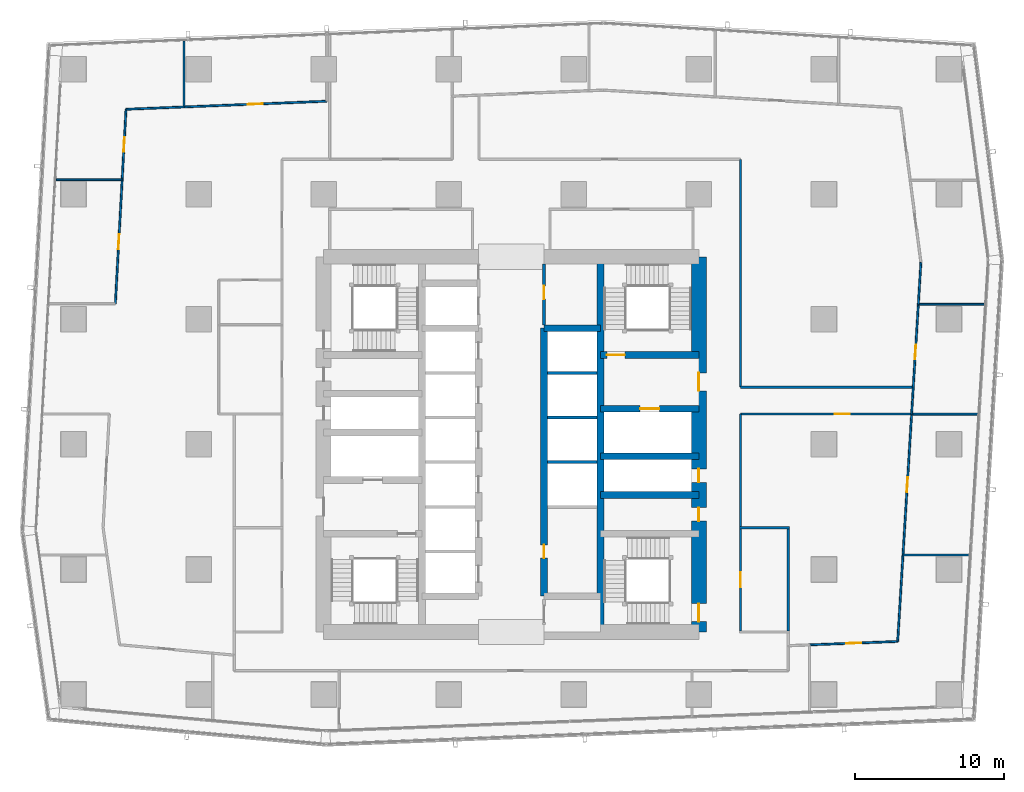
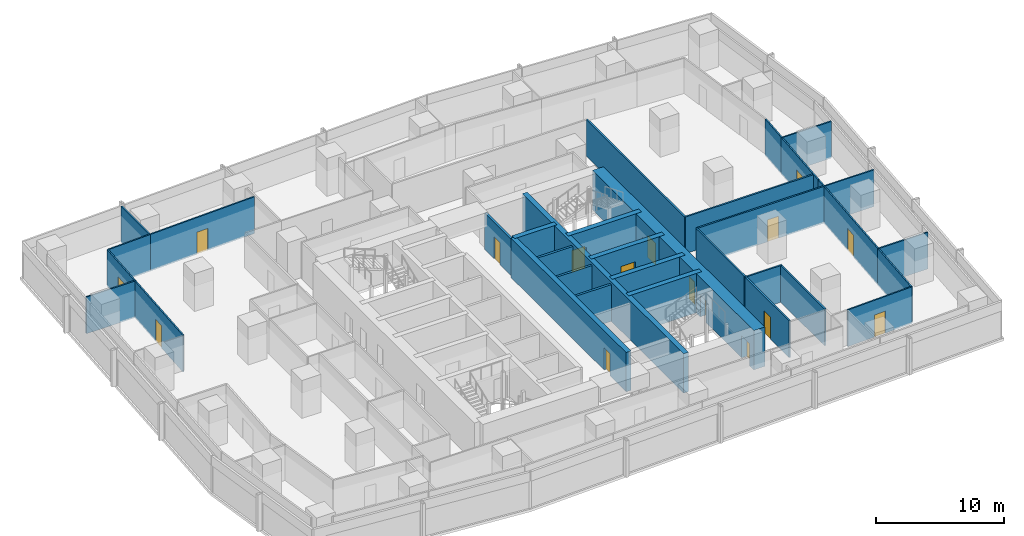
# One storey, part 30 of 40: 34 walls, 16 doors, 16 openings.
"""IFC4 building model written with IfcOpenShell, lengths in metres."""

from ifc_helpers import new_model, si_unit, direction, frame, frame_2d, origin, place, context, subcontext, project, spatial, rectangle, extrude, material, layer, layer_set, type_object, element, fill, save


model = new_model("IFC4")

# Units and contexts
model_context = context("Model", 3, precision=1e-05, world=origin(), true_north=direction((0.0, 1.0)))
body_context = subcontext(model_context, "Body", "Model", "MODEL_VIEW")
ifc_project = project(units=[si_unit("LENGTHUNIT", "METRE"), si_unit("AREAUNIT", "SQUARE_METRE"), si_unit("VOLUMEUNIT", "CUBIC_METRE"), si_unit("PLANEANGLEUNIT", "RADIAN"), si_unit("MASSUNIT", "GRAM", prefix="KILO")], contexts=[model_context])

# Site, building, storey
site_placement = place(None, origin())
site = spatial("IfcSite", under=ifc_project, at=site_placement, CompositionType="ELEMENT")
building_placement = place(site_placement, origin())
building = spatial("IfcBuilding", under=site, at=building_placement, Name="Rekha Terrace Tower", CompositionType="ELEMENT")
storey_placement = place(building_placement, frame((0.0, 0.0, 102.800048828125)))
storey = spatial("IfcBuildingStorey", under=building, at=storey_placement, Name="L25", CompositionType="ELEMENT", Elevation=102.800048828125)

# Wall
ifc_material_1 = material(Name="Concrete M70", Category="concrete")
ifc_layer_1 = layer(ifc_material_1, 0.449951171875)
ifc_layer_set_1 = layer_set([ifc_layer_1], Name="Concrete M70")
wall_type_1 = type_object("IfcWallType", Name="CI2 450 core internal shear wall", PredefinedType="SHEAR", material=ifc_layer_set_1)
wall_1_placement = place(storey_placement, frame((43.800048828125, 21.0, 0.0), z_axis=(0.0, 0.0, 1.0), x_axis=(0.0, 1.0, 0.0)))
element("IfcWall", 1, at=wall_1_placement, inside=storey, type_object=wall_type_1, Name="Core wall X438 L25", PredefinedType="SHEAR", context=body_context, shape_type="SweptSolid", body=[
    extrude(rectangle(XDim=25.199951171875, YDim=0.449951171875, at=frame_2d((12.60009765625, 0.0))), origin(), (0.0, 0.0, 1.0), 3.75),
])

# Wall, opening, door
wall_2_placement = place(storey_placement, frame((40.0, 23.39990234375, 0.0), z_axis=(0.0, 0.0, 1.0), x_axis=(0.0, 1.0, 0.0)))
wall_2 = element("IfcWall", 2, at=wall_2_placement, inside=storey, type_object=wall_type_1, Name="Core wall X400 L25", PredefinedType="SHEAR", context=body_context, shape_type="SweptSolid", body=[
    extrude(rectangle(XDim=18.0, YDim=0.449951171875, at=frame_2d((9.0, 0.0))), origin(), (0.0, 0.0, 1.0), 3.75),
])
opening_1_placement = place(wall_2_placement, frame((2.550048828125, 0.0, 0.0)))
opening_1 = element("IfcOpeningElement", 3, at=opening_1_placement, cuts=wall_2, Name="Opening D5", PredefinedType="OPENING", context=body_context, shape_type="SweptSolid", body=[
    extrude(rectangle(XDim=0.89990234375, YDim=2.10009765625, at=frame_2d((0.449951171875, 1.050048828125))), frame((0.0, 0.23486328125, 0.0), z_axis=(0.0, -1.0, 0.0), x_axis=(1.0, 0.0, 0.0)), (0.0, 0.0, 1.0), 0.469970703125),
])
ifc_material_2 = material(Name="Steel fire door", Category="steel")
door_type_1 = type_object("IfcDoorType", Name="D5 900x2100 riser access door", OperationType="SINGLE_SWING_LEFT", PredefinedType="DOOR", material=ifc_material_2)
door_1_placement = place(opening_1_placement, origin())
door_1 = element("IfcDoor", 4, at=door_1_placement, inside=storey, type_object=door_type_1, Name="Door back-of-house store L25", OperationType="SINGLE_SWING_LEFT", OverallHeight=2.10009765625, OverallWidth=0.89990234375, PredefinedType="DOOR", context=body_context, shape_type="SweptSolid", body=[
    extrude(rectangle(XDim=0.89990234375, YDim=2.10009765625, at=frame_2d((0.449951171875, 1.050048828125))), frame((0.0, 0.02490234375, 0.0), z_axis=(0.0, -1.0, 0.0), x_axis=(1.0, 0.0, 0.0)), (0.0, 0.0, 1.0), 0.050048828125),
])
fill(opening_1, door_1)

# Walls
wall_3_placement = place(storey_placement, frame((40.0, 41.39990234375, 0.0), z_axis=(0.0, 0.0, 1.0), x_axis=(1.0, 0.0, 0.0)))
element("IfcWall", 5, at=wall_3_placement, inside=storey, type_object=wall_type_1, Name="Core wall Y414E L25", PredefinedType="SHEAR", context=body_context, shape_type="SweptSolid", body=[
    extrude(rectangle(XDim=3.800048828125, YDim=0.449951171875, at=frame_2d((1.89990234375, 0.0))), origin(), (0.0, 0.0, 1.0), 3.75),
])
for number, where, z_axis, x_axis, name in (
    (6, (43.800048828125, 30.199951171875, 0.0), (0.0, 0.0, 1.0), (1.0, 0.0, 0.0), "Core wall Y302E L25"),
    (7, (43.800048828125, 32.800048828125, 0.0), (0.0, 0.0, 1.0), (1.0, 0.0, 0.0), "Core wall Y328E L25"),
):
    element("IfcWall", number, at=place(storey_placement, frame(where, z_axis=z_axis, x_axis=x_axis)), inside=storey, type_object=wall_type_1, Name=name, PredefinedType="SHEAR", context=body_context, shape_type="SweptSolid", body=[
        extrude(rectangle(XDim=6.599853515625, YDim=0.449951171875, at=frame_2d((3.2998046875, 0.0))), origin(), (0.0, 0.0, 1.0), 3.75),
    ])

# Wall, opening, door
wall_4_placement = place(storey_placement, frame((43.800048828125, 36.0, 0.0), z_axis=(0.0, 0.0, 1.0), x_axis=(1.0, 0.0, 0.0)))
wall_4 = element("IfcWall", 8, at=wall_4_placement, inside=storey, type_object=wall_type_1, Name="Core wall Y360E L25", PredefinedType="SHEAR", context=body_context, shape_type="SweptSolid", body=[
    extrude(rectangle(XDim=6.599853515625, YDim=0.449951171875, at=frame_2d((3.2998046875, 0.0))), origin(), (0.0, 0.0, 1.0), 3.75),
])
opening_2_placement = place(wall_4_placement, frame((2.64990234375, 0.0, 0.0)))
opening_2 = element("IfcOpeningElement", 9, at=opening_2_placement, cuts=wall_4, Name="Opening LD2", PredefinedType="OPENING", context=body_context, shape_type="SweptSolid", body=[
    extrude(rectangle(XDim=1.300048828125, YDim=2.10009765625, at=frame_2d((0.64990234375, 1.050048828125))), frame((0.0, 0.23486328125, 0.0), z_axis=(0.0, -1.0, 0.0), x_axis=(1.0, 0.0, 0.0)), (0.0, 0.0, 1.0), 0.469970703125),
])
ifc_material_3 = material(Name="Stainless steel sliding landing door", Category="steel")
door_type_2 = type_object("IfcDoorType", Name="LD2 1300x2100 fire lift landing door", OperationType="SLIDING_TO_LEFT", PredefinedType="USERDEFINED", material=ifc_material_3)
door_2_placement = place(opening_2_placement, origin())
door_2 = element("IfcDoor", 10, at=door_2_placement, inside=storey, type_object=door_type_2, Name="Lift FL2 landing door L25", ObjectType="LIFT LANDING DOOR", OperationType="SLIDING_TO_LEFT", OverallHeight=2.10009765625, OverallWidth=1.300048828125, PredefinedType="USERDEFINED", context=body_context, shape_type="SweptSolid", body=[
    extrude(rectangle(XDim=1.300048828125, YDim=2.10009765625, at=frame_2d((0.64990234375, 1.050048828125))), frame((0.0, 0.02490234375, 0.0), z_axis=(0.0, -1.0, 0.0), x_axis=(1.0, 0.0, 0.0)), (0.0, 0.0, 1.0), 0.050048828125),
])
fill(opening_2, door_2)

wall_5_placement = place(storey_placement, frame((43.800048828125, 39.60009765625, 0.0), z_axis=(0.0, 0.0, 1.0), x_axis=(1.0, 0.0, 0.0)))
wall_5 = element("IfcWall", 11, at=wall_5_placement, inside=storey, type_object=wall_type_1, Name="Core wall Y396E L25", PredefinedType="SHEAR", context=body_context, shape_type="SweptSolid", body=[
    extrude(rectangle(XDim=6.599853515625, YDim=0.449951171875, at=frame_2d((3.2998046875, 0.0))), origin(), (0.0, 0.0, 1.0), 3.75),
])
opening_3_placement = place(wall_5_placement, frame((0.425048828125, 0.0, 0.0)))
opening_3 = element("IfcOpeningElement", 12, at=opening_3_placement, cuts=wall_5, Name="Opening D1", PredefinedType="OPENING", context=body_context, shape_type="SweptSolid", body=[
    extrude(rectangle(XDim=1.199951171875, YDim=2.10009765625, at=frame_2d((0.60009765625, 1.050048828125))), frame((0.0, 0.23486328125, 0.0), z_axis=(0.0, -1.0, 0.0), x_axis=(1.0, 0.0, 0.0)), (0.0, 0.0, 1.0), 0.469970703125),
])
door_type_3 = type_object("IfcDoorType", Name="D1 1200x2100 stair fire door", OperationType="SINGLE_SWING_RIGHT", PredefinedType="DOOR", material=ifc_material_2)
door_3_placement = place(opening_3_placement, origin())
door_3 = element("IfcDoor", 13, at=door_3_placement, inside=storey, type_object=door_type_3, Name="Stair ST2 door L25", OperationType="SINGLE_SWING_RIGHT", OverallHeight=2.10009765625, OverallWidth=1.199951171875, PredefinedType="DOOR", context=body_context, shape_type="SweptSolid", body=[
    extrude(rectangle(XDim=1.199951171875, YDim=2.10009765625, at=frame_2d((0.60009765625, 1.050048828125))), frame((0.0, 0.02490234375, 0.0), z_axis=(0.0, -1.0, 0.0), x_axis=(1.0, 0.0, 0.0)), (0.0, 0.0, 1.0), 0.050048828125),
])
fill(opening_3, door_3)

# Wall, openings, doors
ifc_layer_2 = layer(ifc_material_1, 1.0)
ifc_layer_set_2 = layer_set([ifc_layer_2], Name="Concrete M70")
wall_type_2 = type_object("IfcWallType", Name="SW2 1000 core outer shear wall", PredefinedType="SHEAR", material=ifc_layer_set_2)
wall_6_placement = place(storey_placement, frame((50.39990234375, 21.0, 0.0), z_axis=(0.0, 0.0, 1.0), x_axis=(0.0, 1.0, 0.0)))
wall_6 = element("IfcWall", 14, at=wall_6_placement, inside=storey, type_object=wall_type_2, Name="Core wall E L25", PredefinedType="SHEAR", context=body_context, shape_type="SweptSolid", body=[
    extrude(rectangle(XDim=25.199951171875, YDim=1.0, at=frame_2d((12.60009765625, 0.0))), origin(), (0.0, 0.0, 1.0), 3.75),
])
opening_4_placement = place(wall_6_placement, frame((16.199951171875, 0.0, 0.0)))
opening_4 = element("IfcOpeningElement", 15, at=opening_4_placement, cuts=wall_6, Name="Opening D2", PredefinedType="OPENING", context=body_context, shape_type="SweptSolid", body=[
    extrude(rectangle(XDim=1.199951171875, YDim=2.10009765625, at=frame_2d((0.60009765625, 1.050048828125))), frame((0.0, 0.510009765625, 0.0), z_axis=(0.0, -1.0, 0.0), x_axis=(1.0, 0.0, 0.0)), (0.0, 0.0, 1.0), 1.02001953125),
])
opening_5_placement = place(wall_6_placement, frame((10.050048828125, 0.0, 0.0)))
opening_5 = element("IfcOpeningElement", 16, at=opening_5_placement, cuts=wall_6, Name="Opening D5", PredefinedType="OPENING", context=body_context, shape_type="SweptSolid", body=[
    extrude(rectangle(XDim=0.89990234375, YDim=2.10009765625, at=frame_2d((0.449951171875, 1.050048828125))), frame((0.0, 0.510009765625, 0.0), z_axis=(0.0, -1.0, 0.0), x_axis=(1.0, 0.0, 0.0)), (0.0, 0.0, 1.0), 1.02001953125),
])
opening_6_placement = place(wall_6_placement, frame((7.449951171875, 0.0, 0.0)))
opening_6 = element("IfcOpeningElement", 17, at=opening_6_placement, cuts=wall_6, Name="Opening D5", PredefinedType="OPENING", context=body_context, shape_type="SweptSolid", body=[
    extrude(rectangle(XDim=0.89990234375, YDim=2.10009765625, at=frame_2d((0.449951171875, 1.050048828125))), frame((0.0, 0.510009765625, 0.0), z_axis=(0.0, -1.0, 0.0), x_axis=(1.0, 0.0, 0.0)), (0.0, 0.0, 1.0), 1.02001953125),
])
opening_7_placement = place(wall_6_placement, frame((0.699951171875, 0.0, 0.0)))
opening_7 = element("IfcOpeningElement", 18, at=opening_7_placement, cuts=wall_6, Name="Opening D1", PredefinedType="OPENING", context=body_context, shape_type="SweptSolid", body=[
    extrude(rectangle(XDim=1.199951171875, YDim=2.10009765625, at=frame_2d((0.60009765625, 1.050048828125))), frame((0.0, 0.510009765625, 0.0), z_axis=(0.0, -1.0, 0.0), x_axis=(1.0, 0.0, 0.0)), (0.0, 0.0, 1.0), 1.02001953125),
])
door_4_placement = place(opening_7_placement, origin())
door_4 = element("IfcDoor", 19, at=door_4_placement, inside=storey, type_object=door_type_3, Name="Stair ST3 door L25", OperationType="SINGLE_SWING_RIGHT", OverallHeight=2.10009765625, OverallWidth=1.199951171875, PredefinedType="DOOR", context=body_context, shape_type="SweptSolid", body=[
    extrude(rectangle(XDim=1.199951171875, YDim=2.10009765625, at=frame_2d((0.60009765625, 1.050048828125))), frame((0.0, 0.02490234375, 0.0), z_axis=(0.0, -1.0, 0.0), x_axis=(1.0, 0.0, 0.0)), (0.0, 0.0, 1.0), 0.050048828125),
])
fill(opening_7, door_4)
door_type_4 = type_object("IfcDoorType", Name="D2 1200x2100 firefighting lobby door", OperationType="SINGLE_SWING_LEFT", PredefinedType="DOOR", material=ifc_material_2)
door_5_placement = place(opening_4_placement, origin())
door_5 = element("IfcDoor", 20, at=door_5_placement, inside=storey, type_object=door_type_4, Name="Door flb2 L25", OperationType="SINGLE_SWING_LEFT", OverallHeight=2.10009765625, OverallWidth=1.199951171875, PredefinedType="DOOR", context=body_context, shape_type="SweptSolid", body=[
    extrude(rectangle(XDim=1.199951171875, YDim=2.10009765625, at=frame_2d((0.60009765625, 1.050048828125))), frame((0.0, 0.02490234375, 0.0), z_axis=(0.0, -1.0, 0.0), x_axis=(1.0, 0.0, 0.0)), (0.0, 0.0, 1.0), 0.050048828125),
])
fill(opening_4, door_5)
door_6_placement = place(opening_5_placement, origin())
door_6 = element("IfcDoor", 21, at=door_6_placement, inside=storey, type_object=door_type_1, Name="Door rs2 L25", OperationType="SINGLE_SWING_LEFT", OverallHeight=2.10009765625, OverallWidth=0.89990234375, PredefinedType="DOOR", context=body_context, shape_type="SweptSolid", body=[
    extrude(rectangle(XDim=0.89990234375, YDim=2.10009765625, at=frame_2d((0.449951171875, 1.050048828125))), frame((0.0, 0.02490234375, 0.0), z_axis=(0.0, -1.0, 0.0), x_axis=(1.0, 0.0, 0.0)), (0.0, 0.0, 1.0), 0.050048828125),
])
fill(opening_5, door_6)
door_7_placement = place(opening_6_placement, origin())
door_7 = element("IfcDoor", 22, at=door_7_placement, inside=storey, type_object=door_type_1, Name="Door ele L25", OperationType="SINGLE_SWING_LEFT", OverallHeight=2.10009765625, OverallWidth=0.89990234375, PredefinedType="DOOR", context=body_context, shape_type="SweptSolid", body=[
    extrude(rectangle(XDim=0.89990234375, YDim=2.10009765625, at=frame_2d((0.449951171875, 1.050048828125))), frame((0.0, 0.02490234375, 0.0), z_axis=(0.0, -1.0, 0.0), x_axis=(1.0, 0.0, 0.0)), (0.0, 0.0, 1.0), 0.050048828125),
])
fill(opening_6, door_7)

# Wall
ifc_material_4 = material(Name="Concrete block masonry, 1 hour", Category="masonry")
ifc_layer_3 = layer(ifc_material_4, 0.14990234375)
ifc_layer_set_3 = layer_set([ifc_layer_3], Name="Concrete block masonry, 1 hour")
wall_type_3 = type_object("IfcWallType", Name="WP2 150 tenancy partition", PredefinedType="PARTITIONING", material=ifc_layer_set_3)
wall_7_placement = place(storey_placement, frame((53.125, 28.0, 0.0), z_axis=(0.0, 0.0, 1.0), x_axis=(1.0, 0.0, 0.0)))
element("IfcWall", 23, at=wall_7_placement, inside=storey, type_object=wall_type_3, Name="Men's WC wall L25", PredefinedType="PARTITIONING", context=body_context, shape_type="SweptSolid", body=[
    extrude(rectangle(XDim=3.35009765625, YDim=0.14990234375, at=frame_2d((1.675048828125, 0.0))), origin(), (0.0, 0.0, 1.0), 3.5),
])

# Wall, opening, door
wall_8_placement = place(storey_placement, frame((53.199951171875, 21.074951171875, 0.0), z_axis=(0.0, 0.0, 1.0), x_axis=(0.0, 1.0, 0.0)))
wall_8 = element("IfcWall", 24, at=wall_8_placement, inside=storey, type_object=wall_type_3, Name="Men's WC wall L25", PredefinedType="PARTITIONING", context=body_context, shape_type="SweptSolid", body=[
    extrude(rectangle(XDim=6.85009765625, YDim=0.14990234375, at=frame_2d((3.425048828125, 0.0))), origin(), (0.0, 0.0, 1.0), 3.5),
])
opening_8_placement = place(wall_8_placement, frame((2.925048828125, 0.0, 0.0)))
opening_8 = element("IfcOpeningElement", 25, at=opening_8_placement, cuts=wall_8, Name="Opening D3", PredefinedType="OPENING", context=body_context, shape_type="SweptSolid", body=[
    extrude(rectangle(XDim=1.0, YDim=2.10009765625, at=frame_2d((0.5, 1.050048828125))), frame((0.0, 0.0849609375, 0.0), z_axis=(0.0, -1.0, 0.0), x_axis=(1.0, 0.0, 0.0)), (0.0, 0.0, 1.0), 0.169921875),
])
ifc_material_5 = material(Name="Laminated timber fire door", Category="wood")
door_type_5 = type_object("IfcDoorType", Name="D3 1000x2100 WC door", OperationType="SINGLE_SWING_LEFT", PredefinedType="DOOR", material=ifc_material_5)
door_8_placement = place(opening_8_placement, origin())
door_8 = element("IfcDoor", 26, at=door_8_placement, inside=storey, type_object=door_type_5, Name="Door men's wc L25", OperationType="SINGLE_SWING_LEFT", OverallHeight=2.10009765625, OverallWidth=1.0, PredefinedType="DOOR", context=body_context, shape_type="SweptSolid", body=[
    extrude(rectangle(XDim=1.0, YDim=2.10009765625, at=frame_2d((0.5, 1.050048828125))), frame((0.0, 0.02490234375, 0.0), z_axis=(0.0, -1.0, 0.0), x_axis=(1.0, 0.0, 0.0)), (0.0, 0.0, 1.0), 0.050048828125),
])
fill(opening_8, door_8)

# Walls
wall_9_placement = place(storey_placement, frame((56.39990234375, 21.074951171875, 0.0), z_axis=(0.0, 0.0, 1.0), x_axis=(0.0, 1.0, 0.0)))
element("IfcWall", 27, at=wall_9_placement, inside=storey, type_object=wall_type_3, Name="Men's WC wall L25", PredefinedType="PARTITIONING", context=body_context, shape_type="SweptSolid", body=[
    extrude(rectangle(XDim=6.85009765625, YDim=0.14990234375, at=frame_2d((3.425048828125, 0.0))), origin(), (0.0, 0.0, 1.0), 3.5),
])
wall_10_placement = place(storey_placement, frame((64.741943359375, 37.43701171875, 0.0), z_axis=(0.0, 0.0, 1.0), x_axis=(-1.0, 0.0, 0.0)))
element("IfcWall", 28, at=wall_10_placement, inside=storey, type_object=wall_type_3, Name="Partition L25-O1", PredefinedType="PARTITIONING", context=body_context, shape_type="SweptSolid", body=[
    extrude(rectangle(XDim=11.5419921875, YDim=0.14990234375, at=frame_2d((5.77099609375, 0.0))), origin(), (0.0, 0.0, 1.0), 3.5),
])
wall_11_placement = place(storey_placement, frame((53.199951171875, 37.43701171875, 0.0), z_axis=(0.0, 0.0, 1.0), x_axis=(0.0, 1.0, 0.0)))
element("IfcWall", 29, at=wall_11_placement, inside=storey, type_object=wall_type_3, Name="Partition L25-O1", PredefinedType="PARTITIONING", context=body_context, shape_type="SweptSolid", body=[
    extrude(rectangle(XDim=15.31298828125, YDim=0.14990234375, at=frame_2d((7.656494140625, 0.0))), origin(), (0.0, 0.0, 1.0), 3.5),
])
wall_12_placement = place(storey_placement, frame((53.199951171875, 28.074951171875, 0.0), z_axis=(0.0, 0.0, 1.0), x_axis=(0.0, 1.0, 0.0)))
element("IfcWall", 30, at=wall_12_placement, inside=storey, type_object=wall_type_3, Name="Partition L25-O1b", PredefinedType="PARTITIONING", context=body_context, shape_type="SweptSolid", body=[
    extrude(rectangle(XDim=7.56201171875, YDim=0.14990234375, at=frame_2d((3.781005859375, 0.0))), origin(), (0.0, 0.0, 1.0), 3.5),
])

# Wall, opening, door
wall_13_placement = place(storey_placement, frame((53.199951171875, 35.636962890625, 0.0), z_axis=(0.0, 0.0, 1.0), x_axis=(1.0, 0.0, 0.0)))
wall_13 = element("IfcWall", 31, at=wall_13_placement, inside=storey, type_object=wall_type_3, Name="Partition L25-O1b", PredefinedType="PARTITIONING", context=body_context, shape_type="SweptSolid", body=[
    extrude(rectangle(XDim=11.445068359375, YDim=0.14990234375, at=frame_2d((5.72265625, 0.0))), origin(), (0.0, 0.0, 1.0), 3.5),
])
opening_9_placement = place(wall_13_placement, frame((6.346923828125, 0.0, 0.0)))
opening_9 = element("IfcOpeningElement", 32, at=opening_9_placement, cuts=wall_13, Name="Opening D9", PredefinedType="OPENING", context=body_context, shape_type="SweptSolid", body=[
    extrude(rectangle(XDim=1.0, YDim=2.10009765625, at=frame_2d((0.5, 1.050048828125))), frame((0.0, 0.0849609375, 0.0), z_axis=(0.0, -1.0, 0.0), x_axis=(1.0, 0.0, 0.0)), (0.0, 0.0, 1.0), 0.169921875),
])
ifc_material_6 = material(Name="Timber fire door", Category="wood")
door_type_6 = type_object("IfcDoorType", Name="D9 1000x2100 office door", OperationType="SINGLE_SWING_LEFT", PredefinedType="DOOR", material=ifc_material_6)
door_9_placement = place(opening_9_placement, origin())
door_9 = element("IfcDoor", 33, at=door_9_placement, inside=storey, type_object=door_type_6, Name="Door open-plan office L25", OperationType="SINGLE_SWING_LEFT", OverallHeight=2.10009765625, OverallWidth=1.0, PredefinedType="DOOR", context=body_context, shape_type="SweptSolid", body=[
    extrude(rectangle(XDim=1.0, YDim=2.10009765625, at=frame_2d((0.5, 1.050048828125))), frame((0.0, 0.02490234375, 0.0), z_axis=(0.0, -1.0, 0.0), x_axis=(1.0, 0.0, 0.0)), (0.0, 0.0, 1.0), 0.050048828125),
])
fill(opening_9, door_9)

ifc_material_7 = material(Name="Two layers of fire-rated gypsum board each side on steel studs, acoustic quilt, 1 hour", Category="steel")
ifc_layer_4 = layer(ifc_material_7, 0.125)
ifc_layer_set_4 = layer_set([ifc_layer_4], Name="Two layers of fire-rated gypsum board each side on steel studs, acoustic quilt, 1 hour")
wall_type_4 = type_object("IfcWallType", Name="WP3 125 office partition", PredefinedType="PARTITIONING", material=ifc_layer_set_4)
wall_14_placement = place(storey_placement, frame((57.8369140625, 20.1298828125, 0.0), z_axis=(0.0, 0.0, 1.0), x_axis=(0.999244959279, 0.038852430487, 0.0)))
wall_14 = element("IfcWall", 34, at=wall_14_placement, inside=storey, type_object=wall_type_4, Name="Partition L25-03", PredefinedType="PARTITIONING", context=body_context, shape_type="SweptSolid", body=[
    extrude(rectangle(XDim=5.925537109375, YDim=0.125, at=frame_2d((2.962890625, 0.0))), origin(), (0.0, 0.0, 1.0), 3.5),
])
opening_10_placement = place(wall_14_placement, frame((2.462890625, 0.0, 0.0)))
opening_10 = element("IfcOpeningElement", 35, at=opening_10_placement, cuts=wall_14, Name="Opening D9", PredefinedType="OPENING", context=body_context, shape_type="SweptSolid", body=[
    extrude(rectangle(XDim=1.0, YDim=2.10009765625, at=frame_2d((0.5, 1.050048828125))), frame((0.0, 0.072509765625, 0.0), z_axis=(0.0, -1.0, 0.0), x_axis=(1.0, 0.0, 0.0)), (0.0, 0.0, 1.0), 0.14501953125),
])
door_10_placement = place(opening_10_placement, origin())
door_10 = element("IfcDoor", 36, at=door_10_placement, inside=storey, type_object=door_type_6, Name="Door manager's office L25", OperationType="SINGLE_SWING_LEFT", OverallHeight=2.10009765625, OverallWidth=1.0, PredefinedType="DOOR", context=body_context, shape_type="SweptSolid", body=[
    extrude(rectangle(XDim=1.0, YDim=2.10009765625, at=frame_2d((0.5, 1.050048828125))), frame((0.0, 0.02490234375, 0.0), z_axis=(0.0, -1.0, 0.0), x_axis=(1.0, 0.0, 0.0)), (0.0, 0.0, 1.0), 0.050048828125),
])
fill(opening_10, door_10)

# Walls
wall_15_placement = place(storey_placement, frame((63.758056640625, 20.360107421875, 0.0), z_axis=(0.0, 0.0, 1.0), x_axis=(0.06119454608, 0.99812585756, 0.0)))
element("IfcWall", 37, at=wall_15_placement, inside=storey, type_object=wall_type_4, Name="Partition L25-03", PredefinedType="PARTITIONING", context=body_context, shape_type="SweptSolid", body=[
    extrude(rectangle(XDim=5.81689453125, YDim=0.125, at=frame_2d((2.908447265625, 0.0))), origin(), (0.0, 0.0, 1.0), 3.5),
])
wall_16_placement = place(storey_placement, frame((64.114013671875, 26.166015625, 0.0), z_axis=(0.0, 0.0, 1.0), x_axis=(1.0, 0.0, 0.0)))
element("IfcWall", 38, at=wall_16_placement, inside=storey, type_object=wall_type_4, Name="Partition L25-03", PredefinedType="PARTITIONING", context=body_context, shape_type="SweptSolid", body=[
    extrude(rectangle(XDim=4.4580078125, YDim=0.125, at=frame_2d((2.22900390625, 0.0))), origin(), (0.0, 0.0, 1.0), 3.5),
])

# Wall, opening, door
wall_17_placement = place(storey_placement, frame((64.114013671875, 26.1669921875, 0.0), z_axis=(0.0, 0.0, 1.0), x_axis=(0.061165020441, 0.998127667322, 0.0)))
wall_17 = element("IfcWall", 39, at=wall_17_placement, inside=storey, type_object=wall_type_4, Name="Partition L25-04", PredefinedType="PARTITIONING", context=body_context, shape_type="SweptSolid", body=[
    extrude(rectangle(XDim=9.48388671875, YDim=0.125, at=frame_2d((4.741943359375, 0.0))), origin(), (0.0, 0.0, 1.0), 3.5),
])
opening_11_placement = place(wall_17_placement, frame((4.241943359375, 0.0, 0.0)))
opening_11 = element("IfcOpeningElement", 40, at=opening_11_placement, cuts=wall_17, Name="Opening D9", PredefinedType="OPENING", context=body_context, shape_type="SweptSolid", body=[
    extrude(rectangle(XDim=1.0, YDim=2.10009765625, at=frame_2d((0.5, 1.050048828125))), frame((0.0, 0.072509765625, 0.0), z_axis=(0.0, -1.0, 0.0), x_axis=(1.0, 0.0, 0.0)), (0.0, 0.0, 1.0), 0.14501953125),
])
door_11_placement = place(opening_11_placement, origin())
door_11 = element("IfcDoor", 41, at=door_11_placement, inside=storey, type_object=door_type_6, Name="Door office L25", OperationType="SINGLE_SWING_LEFT", OverallHeight=2.10009765625, OverallWidth=1.0, PredefinedType="DOOR", context=body_context, shape_type="SweptSolid", body=[
    extrude(rectangle(XDim=1.0, YDim=2.10009765625, at=frame_2d((0.5, 1.050048828125))), frame((0.0, 0.02490234375, 0.0), z_axis=(0.0, -1.0, 0.0), x_axis=(1.0, 0.0, 0.0)), (0.0, 0.0, 1.0), 0.050048828125),
])
fill(opening_11, door_11)

# Wall
wall_18_placement = place(storey_placement, frame((64.694091796875, 35.633056640625, 0.0), z_axis=(0.0, 0.0, 1.0), x_axis=(1.0, 0.0, 0.0)))
element("IfcWall", 42, at=wall_18_placement, inside=storey, type_object=wall_type_4, Name="Partition L25-04", PredefinedType="PARTITIONING", context=body_context, shape_type="SweptSolid", body=[
    extrude(rectangle(XDim=4.4580078125, YDim=0.125, at=frame_2d((2.22900390625, 0.0))), origin(), (0.0, 0.0, 1.0), 3.5),
])

# Wall, opening, door
wall_19_placement = place(storey_placement, frame((64.7529296875, 36.589111328125, 0.0), z_axis=(0.0, 0.0, 1.0), x_axis=(0.061083835669, 0.998132638991, 0.0)))
wall_19 = element("IfcWall", 43, at=wall_19_placement, inside=storey, type_object=wall_type_4, Name="Partition L25-05", PredefinedType="PARTITIONING", context=body_context, shape_type="SweptSolid", body=[
    extrude(rectangle(XDim=6.434814453125, YDim=0.125, at=frame_2d((3.21728515625, 0.0))), origin(), (0.0, 0.0, 1.0), 3.5),
])
opening_12_placement = place(wall_19_placement, frame((2.718017578125, 0.0, 0.0)))
opening_12 = element("IfcOpeningElement", 44, at=opening_12_placement, cuts=wall_19, Name="Opening D9", PredefinedType="OPENING", context=body_context, shape_type="SweptSolid", body=[
    extrude(rectangle(XDim=1.0, YDim=2.10009765625, at=frame_2d((0.5, 1.050048828125))), frame((0.0, 0.072509765625, 0.0), z_axis=(0.0, -1.0, 0.0), x_axis=(1.0, 0.0, 0.0)), (0.0, 0.0, 1.0), 0.14501953125),
])
door_12_placement = place(opening_12_placement, origin())
door_12 = element("IfcDoor", 45, at=door_12_placement, inside=storey, type_object=door_type_6, Name="Door office L25", OperationType="SINGLE_SWING_LEFT", OverallHeight=2.10009765625, OverallWidth=1.0, PredefinedType="DOOR", context=body_context, shape_type="SweptSolid", body=[
    extrude(rectangle(XDim=1.0, YDim=2.10009765625, at=frame_2d((0.5, 1.050048828125))), frame((0.0, 0.02490234375, 0.0), z_axis=(0.0, -1.0, 0.0), x_axis=(1.0, 0.0, 0.0)), (0.0, 0.0, 1.0), 0.050048828125),
])
fill(opening_12, door_12)

# Walls
wall_20_placement = place(storey_placement, frame((65.14599609375, 43.011962890625, 0.0), z_axis=(0.0, 0.0, 1.0), x_axis=(1.0, 0.0, 0.0)))
element("IfcWall", 46, at=wall_20_placement, inside=storey, type_object=wall_type_4, Name="Partition L25-05", PredefinedType="PARTITIONING", context=body_context, shape_type="SweptSolid", body=[
    extrude(rectangle(XDim=4.4580078125, YDim=0.125, at=frame_2d((2.22900390625, 0.0))), origin(), (0.0, 0.0, 1.0), 3.5),
])
wall_21_placement = place(storey_placement, frame((64.694091796875, 35.634033203125, 0.0), z_axis=(0.0, 0.0, 1.0), x_axis=(0.061488745964, 0.998107776806, 0.0)))
element("IfcWall", 47, at=wall_21_placement, inside=storey, type_object=wall_type_4, Name="Partition L25-05", PredefinedType="PARTITIONING", context=body_context, shape_type="SweptSolid", body=[
    extrude(rectangle(XDim=0.956787109375, YDim=0.125, at=frame_2d((0.478515625, 0.0))), origin(), (0.0, 0.0, 1.0), 3.5),
])
wall_22_placement = place(storey_placement, frame((65.14599609375, 43.012939453125, 0.0), z_axis=(0.0, 0.0, 1.0), x_axis=(0.061242528703, 0.998122914614, 0.0)))
element("IfcWall", 48, at=wall_22_placement, inside=storey, type_object=wall_type_4, Name="Partition L25-06", PredefinedType="PARTITIONING", context=body_context, shape_type="SweptSolid", body=[
    extrude(rectangle(XDim=2.810546875, YDim=0.125, at=frame_2d((1.4052734375, 0.0))), origin(), (0.0, 0.0, 1.0), 3.5),
])
wall_23_placement = place(storey_placement, frame((15.81494140625, 56.264892578125, 0.0), z_axis=(0.0, 0.0, 1.0), x_axis=(0.0, 1.0, 0.0)))
element("IfcWall", 49, at=wall_23_placement, inside=storey, type_object=wall_type_4, Name="Partition L25-13", PredefinedType="PARTITIONING", context=body_context, shape_type="SweptSolid", body=[
    extrude(rectangle(XDim=4.424072265625, YDim=0.125, at=frame_2d((2.2119140625, 0.0))), origin(), (0.0, 0.0, 1.0), 3.5),
])

# Wall, opening, door
wall_24_placement = place(storey_placement, frame((25.4130859375, 56.64990234375, 0.0), z_axis=(0.0, 0.0, 1.0), x_axis=(-0.999196445736, -0.040080703946, 0.0)))
wall_24 = element("IfcWall", 50, at=wall_24_placement, inside=storey, type_object=wall_type_4, Name="Partition L25-13", PredefinedType="PARTITIONING", context=body_context, shape_type="SweptSolid", body=[
    extrude(rectangle(XDim=9.60595703125, YDim=0.125, at=frame_2d((4.802978515625, 0.0))), origin(), (0.0, 0.0, 1.0), 3.5),
])
opening_13_placement = place(wall_24_placement, frame((4.302978515625, 0.0, 0.0)))
opening_13 = element("IfcOpeningElement", 51, at=opening_13_placement, cuts=wall_24, Name="Opening D9", PredefinedType="OPENING", context=body_context, shape_type="SweptSolid", body=[
    extrude(rectangle(XDim=1.0, YDim=2.10009765625, at=frame_2d((0.5, 1.050048828125))), frame((0.0, 0.072509765625, 0.0), z_axis=(0.0, -1.0, 0.0), x_axis=(1.0, 0.0, 0.0)), (0.0, 0.0, 1.0), 0.14501953125),
])
door_13_placement = place(opening_13_placement, origin())
door_13 = element("IfcDoor", 52, at=door_13_placement, inside=storey, type_object=door_type_6, Name="Door office L25", OperationType="SINGLE_SWING_LEFT", OverallHeight=2.10009765625, OverallWidth=1.0, PredefinedType="DOOR", context=body_context, shape_type="SweptSolid", body=[
    extrude(rectangle(XDim=1.0, YDim=2.10009765625, at=frame_2d((0.5, 1.050048828125))), frame((0.0, 0.02490234375, 0.0), z_axis=(0.0, -1.0, 0.0), x_axis=(1.0, 0.0, 0.0)), (0.0, 0.0, 1.0), 0.050048828125),
])
fill(opening_13, door_13)

# Walls
wall_25_placement = place(storey_placement, frame((11.6630859375, 51.37890625, 0.0), z_axis=(0.0, 0.0, 1.0), x_axis=(-1.0, 0.0, 0.0)))
element("IfcWall", 53, at=wall_25_placement, inside=storey, type_object=wall_type_4, Name="Partition L25-14", PredefinedType="PARTITIONING", context=body_context, shape_type="SweptSolid", body=[
    extrude(rectangle(XDim=4.427001953125, YDim=0.125, at=frame_2d((2.21337890625, 0.0))), origin(), (0.0, 0.0, 1.0), 3.5),
])
wall_26_placement = place(storey_placement, frame((15.81396484375, 56.264892578125, 0.0), z_axis=(0.0, 0.0, 1.0), x_axis=(-0.999197550699, -0.040053148165, 0.0)))
element("IfcWall", 54, at=wall_26_placement, inside=storey, type_object=wall_type_4, Name="Partition L25-14", PredefinedType="PARTITIONING", context=body_context, shape_type="SweptSolid", body=[
    extrude(rectangle(XDim=3.89501953125, YDim=0.125, at=frame_2d((1.947509765625, 0.0))), origin(), (0.0, 0.0, 1.0), 3.5),
])

# Wall, opening, door
wall_27_placement = place(storey_placement, frame((11.922119140625, 56.10888671875, 0.0), z_axis=(0.0, 0.0, 1.0), x_axis=(-0.054682179352, -0.998503810339, 0.0)))
wall_27 = element("IfcWall", 55, at=wall_27_placement, inside=storey, type_object=wall_type_4, Name="Partition L25-14", PredefinedType="PARTITIONING", context=body_context, shape_type="SweptSolid", body=[
    extrude(rectangle(XDim=4.737060546875, YDim=0.125, at=frame_2d((2.36865234375, 0.0))), origin(), (0.0, 0.0, 1.0), 3.5),
])
opening_14_placement = place(wall_27_placement, frame((1.868896484375, 0.0, 0.0)))
opening_14 = element("IfcOpeningElement", 56, at=opening_14_placement, cuts=wall_27, Name="Opening D9", PredefinedType="OPENING", context=body_context, shape_type="SweptSolid", body=[
    extrude(rectangle(XDim=1.0, YDim=2.10009765625, at=frame_2d((0.5, 1.050048828125))), frame((0.0, 0.072509765625, 0.0), z_axis=(0.0, -1.0, 0.0), x_axis=(1.0, 0.0, 0.0)), (0.0, 0.0, 1.0), 0.14501953125),
])
door_14_placement = place(opening_14_placement, origin())
door_14 = element("IfcDoor", 57, at=door_14_placement, inside=storey, type_object=door_type_6, Name="Door manager's office L25", OperationType="SINGLE_SWING_LEFT", OverallHeight=2.10009765625, OverallWidth=1.0, PredefinedType="DOOR", context=body_context, shape_type="SweptSolid", body=[
    extrude(rectangle(XDim=1.0, YDim=2.10009765625, at=frame_2d((0.5, 1.050048828125))), frame((0.0, 0.02490234375, 0.0), z_axis=(0.0, -1.0, 0.0), x_axis=(1.0, 0.0, 0.0)), (0.0, 0.0, 1.0), 0.050048828125),
])
fill(opening_14, door_14)

wall_28_placement = place(storey_placement, frame((11.6630859375, 51.3779296875, 0.0), z_axis=(0.0, 0.0, 1.0), x_axis=(-0.054769987218, -0.998498997746, 0.0)))
wall_28 = element("IfcWall", 58, at=wall_28_placement, inside=storey, type_object=wall_type_4, Name="Partition L25-15", PredefinedType="PARTITIONING", context=body_context, shape_type="SweptSolid", body=[
    extrude(rectangle(XDim=8.344482421875, YDim=0.125, at=frame_2d((4.17236328125, 0.0))), origin(), (0.0, 0.0, 1.0), 3.5),
])
opening_15_placement = place(wall_28_placement, frame((3.672119140625, 0.0, 0.0)))
opening_15 = element("IfcOpeningElement", 59, at=opening_15_placement, cuts=wall_28, Name="Opening D9", PredefinedType="OPENING", context=body_context, shape_type="SweptSolid", body=[
    extrude(rectangle(XDim=1.0, YDim=2.10009765625, at=frame_2d((0.5, 1.050048828125))), frame((0.0, 0.072509765625, 0.0), z_axis=(0.0, -1.0, 0.0), x_axis=(1.0, 0.0, 0.0)), (0.0, 0.0, 1.0), 0.14501953125),
])
door_15_placement = place(opening_15_placement, origin())
door_15 = element("IfcDoor", 60, at=door_15_placement, inside=storey, type_object=door_type_6, Name="Door breakout lounge L25", OperationType="SINGLE_SWING_LEFT", OverallHeight=2.10009765625, OverallWidth=1.0, PredefinedType="DOOR", context=body_context, shape_type="SweptSolid", body=[
    extrude(rectangle(XDim=1.0, YDim=2.10009765625, at=frame_2d((0.5, 1.050048828125))), frame((0.0, 0.02490234375, 0.0), z_axis=(0.0, -1.0, 0.0), x_axis=(1.0, 0.0, 0.0)), (0.0, 0.0, 1.0), 0.050048828125),
])
fill(opening_15, door_15)

# Walls
ifc_material_8 = material(Name="Solid concrete block masonry, 2 hour", Category="masonry")
ifc_layer_5 = layer(ifc_material_8, 0.199951171875)
ifc_layer_set_5 = layer_set([ifc_layer_5], Name="Solid concrete block masonry, 2 hour")
wall_type_5 = type_object("IfcWallType", Name="WS1 200 stair and shaft enclosure", PredefinedType="PARTITIONING", material=ifc_layer_set_5)
for number, where, z_axis, x_axis, name in (
    (61, (40.22509765625, 32.39990234375, 0.0), (0.0, 0.0, 1.0), (1.0, 0.0, 0.0), "Lift shaft divider L25"),
    (62, (40.22509765625, 35.39990234375, 0.0), (0.0, 0.0, 1.0), (1.0, 0.0, 0.0), "Lift shaft divider L25"),
    (63, (40.22509765625, 38.39990234375, 0.0), (0.0, 0.0, 1.0), (1.0, 0.0, 0.0), "Lift shaft divider L25"),
):
    element("IfcWall", number, at=place(storey_placement, frame(where, z_axis=z_axis, x_axis=x_axis)), inside=storey, type_object=wall_type_5, Name=name, PredefinedType="PARTITIONING", context=body_context, shape_type="SweptSolid", body=[
        extrude(rectangle(XDim=3.349853515625, YDim=0.199951171875, at=frame_2d((1.6748046875, 0.0))), origin(), (0.0, 0.0, 1.0), 3.5),
    ])

# Wall, opening, door
wall_29_placement = place(storey_placement, frame((40.0, 41.625, 0.0), z_axis=(0.0, 0.0, 1.0), x_axis=(0.0, 1.0, 0.0)))
wall_29 = element("IfcWall", 64, at=wall_29_placement, inside=storey, type_object=wall_type_5, Name="Core partition elec L25", PredefinedType="PARTITIONING", context=body_context, shape_type="SweptSolid", body=[
    extrude(rectangle(XDim=4.074951171875, YDim=0.199951171875, at=frame_2d((2.03759765625, 0.0))), origin(), (0.0, 0.0, 1.0), 3.5),
])
opening_16_placement = place(wall_29_placement, frame((1.72509765625, 0.0, 0.0)))
opening_16 = element("IfcOpeningElement", 65, at=opening_16_placement, cuts=wall_29, Name="Opening D5", PredefinedType="OPENING", context=body_context, shape_type="SweptSolid", body=[
    extrude(rectangle(XDim=0.89990234375, YDim=2.10009765625, at=frame_2d((0.449951171875, 1.050048828125))), frame((0.0, 0.10986328125, 0.0), z_axis=(0.0, -1.0, 0.0), x_axis=(1.0, 0.0, 0.0)), (0.0, 0.0, 1.0), 0.219970703125),
])
door_16_placement = place(opening_16_placement, origin())
door_16 = element("IfcDoor", 66, at=door_16_placement, inside=storey, type_object=door_type_1, Name="Door electrical room L25", OperationType="SINGLE_SWING_LEFT", OverallHeight=2.10009765625, OverallWidth=0.89990234375, PredefinedType="DOOR", context=body_context, shape_type="SweptSolid", body=[
    extrude(rectangle(XDim=0.89990234375, YDim=2.10009765625, at=frame_2d((0.449951171875, 1.050048828125))), frame((0.0, 0.02490234375, 0.0), z_axis=(0.0, -1.0, 0.0), x_axis=(1.0, 0.0, 0.0)), (0.0, 0.0, 1.0), 0.050048828125),
])
fill(opening_16, door_16)

save(model, "model.ifc")
